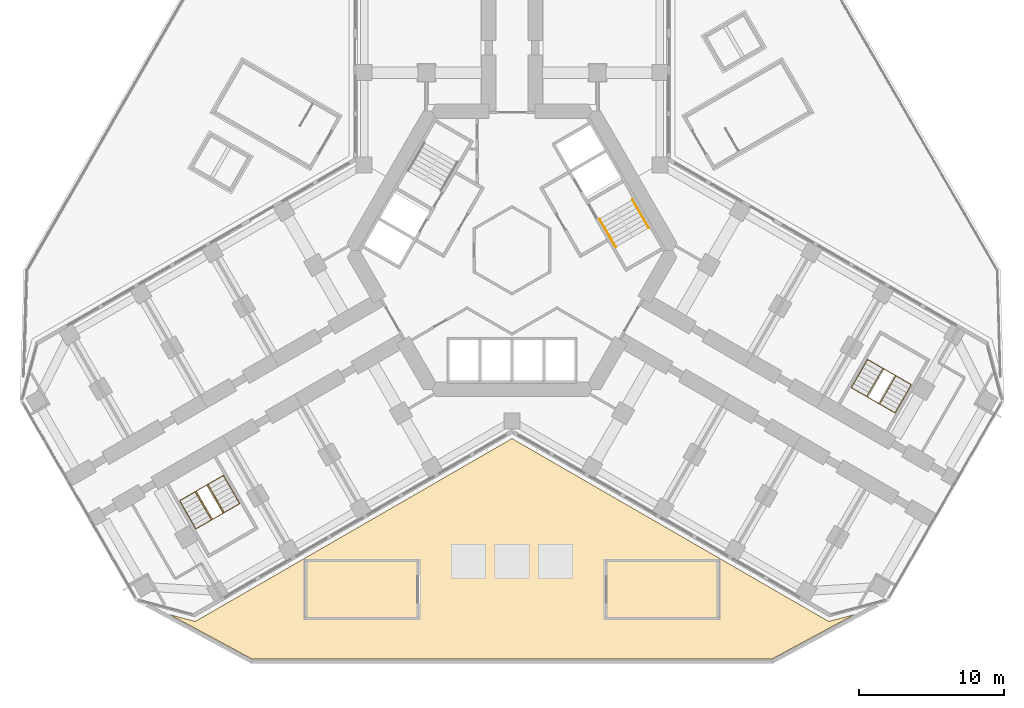
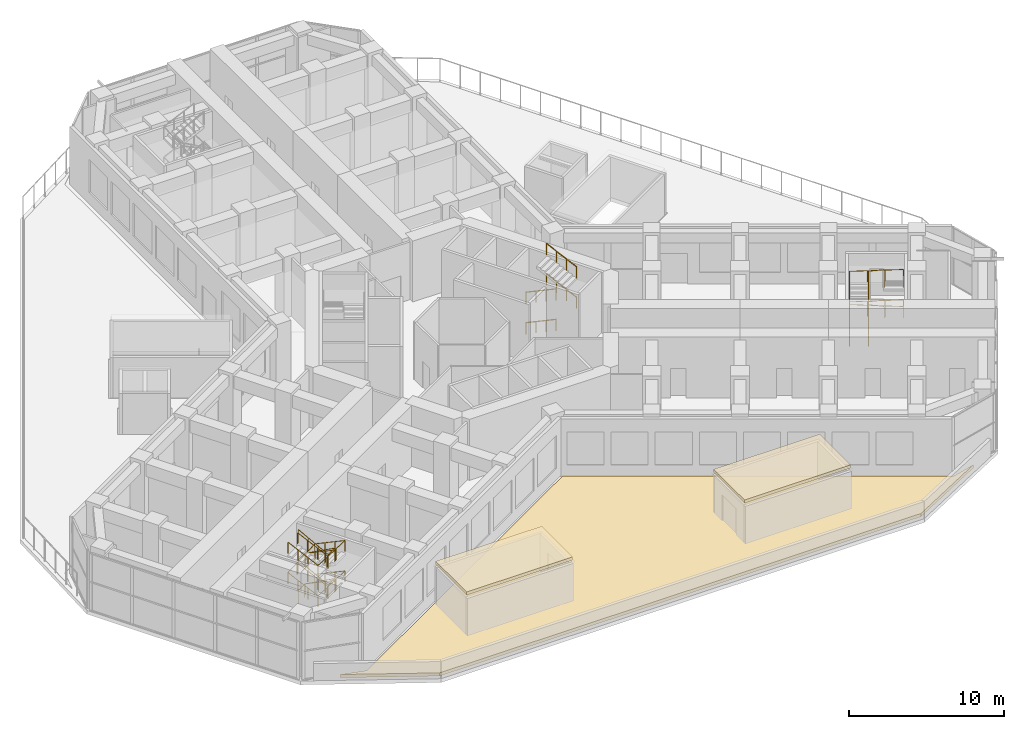
# One storey, part 16 of 18: 9 railings, 3 coverings.
"""IFC4 building model written with IfcOpenShell, lengths in metres."""

import ifcopenshell
import ifcopenshell.guid

model = None  # the IFC model being written
_history = None  # IfcOwnerHistory: only IFC2X3 demands one
_inside = {}  # id of a spatial element -> (the spatial element, [elements in it])
_under = {}  # id of a project, library or spatial element -> (it, [spatial elements below it])
_declared = {}  # id of a project -> (the project, [libraries it declares])
_typed = {}  # id of a type object -> (the type object, [elements of that type])
_made_of = {}  # id of a material, layer set ... -> (it, [elements and type objects made of it])


def new_model(schema):
    """Start an empty IFC model of exactly this schema.

    Asked for "IFC4X3", IfcOpenShell would pick the latest addendum, in which some entities
    have other attributes; the version numbers below select the first issue.
    IFC2X3 requires an IfcOwnerHistory on every rooted entity: one is made here for all.
    """
    global model, _history
    if schema == "IFC4X3":
        model = ifcopenshell.file(schema_version=(4, 3, 0, 0))
    else:
        model = ifcopenshell.file(schema=schema)
    _inside.clear()
    _under.clear()
    _declared.clear()
    _typed.clear()
    _made_of.clear()
    _history = None
    if model.schema == "IFC2X3":
        org = make("IfcOrganization", Name="unknown")
        user = make(
            "IfcPersonAndOrganization",
            ThePerson=make("IfcPerson", FamilyName="unknown"),
            TheOrganization=org,
        )
        app = make(
            "IfcApplication",
            ApplicationDeveloper=org,
            Version="unknown",
            ApplicationFullName="unknown",
            ApplicationIdentifier="unknown",
        )
        _history = make(
            "IfcOwnerHistory",
            OwningUser=user,
            OwningApplication=app,
            ChangeAction="ADDED",
            CreationDate=0,
        )
    return model


def make(cls, **values):
    """One entity of the class cls with the attributes given. An attribute that is None is left unset."""
    return model.create_entity(
        cls, **{name: value for name, value in values.items() if value is not None}
    )


def rooted(cls, **values):
    """An entity with a GlobalId (a new one), such as an element, a storey or a relation."""
    return make(cls, GlobalId=ifcopenshell.guid.new(), OwnerHistory=_history, **values)


def si_unit(unit_type, name, prefix=None):
    """IfcSIUnit, for example si_unit("LENGTHUNIT", "METRE", prefix="MILLI")."""
    return make("IfcSIUnit", UnitType=unit_type, Prefix=prefix, Name=name)


def assignment(units):
    """IfcUnitAssignment: the units of a project."""
    return None if units is None else make("IfcUnitAssignment", Units=units)


def point(xyz):
    """IfcCartesianPoint."""
    return None if xyz is None else make("IfcCartesianPoint", Coordinates=xyz)


def direction(xyz):
    """IfcDirection."""
    return None if xyz is None else make("IfcDirection", DirectionRatios=xyz)


def frame(location, z_axis=None, x_axis=None):
    """IfcAxis2Placement3D, a coordinate frame: its origin and axes. An axis left out is left unset."""
    return make(
        "IfcAxis2Placement3D",
        Location=point(location),
        Axis=direction(z_axis),
        RefDirection=direction(x_axis),
    )


def frame_2d(location, x_axis=None):
    """IfcAxis2Placement2D, a coordinate frame in the plane: its origin and x axis."""
    return make(
        "IfcAxis2Placement2D", Location=point(location), RefDirection=direction(x_axis)
    )


def origin():
    """The frame at (0, 0, 0) with its axes left unset."""
    return frame((0.0, 0.0, 0.0))


def origin_2d():
    """The frame at (0, 0) in the plane with its x axis left unset."""
    return frame_2d((0.0, 0.0))


def place(relative_to, where):
    """IfcLocalPlacement: puts the frame where relative to a parent placement (None: the world)."""
    return make(
        "IfcLocalPlacement", PlacementRelTo=relative_to, RelativePlacement=where
    )


def context(
    kind, dimensions, precision=None, world=None, true_north=None, identifier=None
):
    """IfcGeometricRepresentationContext, for example the 3D "Model" context."""
    return make(
        "IfcGeometricRepresentationContext",
        ContextIdentifier=identifier,
        ContextType=kind,
        CoordinateSpaceDimension=dimensions,
        Precision=precision,
        WorldCoordinateSystem=world,
        TrueNorth=true_north,
    )


def subcontext(parent, identifier, kind, view, scale=None):
    """IfcGeometricRepresentationSubContext, for example "Body" below "Model"."""
    return make(
        "IfcGeometricRepresentationSubContext",
        ContextIdentifier=identifier,
        ContextType=kind,
        ParentContext=parent,
        TargetScale=scale,
        TargetView=view,
    )


def project(units=None, contexts=None):
    """IfcProject with its units and contexts."""
    return rooted(
        "IfcProject",
        Name="project",
        RepresentationContexts=contexts,
        UnitsInContext=assignment(units),
    )


def spatial(cls, under=None, at=None, **own):
    """A site, building, storey or space (cls), placed at a placement, below another one or the project."""
    s = rooted(cls, ObjectPlacement=at, **own)
    if under is not None:
        _under.setdefault(under.id(), (under, []))[1].append(s)
    return s


def polyline(points):
    """IfcPolyline through the points."""
    return make("IfcPolyline", Points=[point(p) for p in points])


def profile(cls, at=None, kind="AREA", **sizes):
    """A parametric profile (cls). Its sizes go by their IFC names, for example OverallWidth=200.0."""
    return make(cls, ProfileType=kind, Position=at, **sizes)


def circle(**sizes):
    """IfcCircleProfileDef."""
    return profile("IfcCircleProfileDef", **sizes)


def outline(outer, holes=None, kind="AREA"):
    """IfcArbitraryClosedProfileDef: a profile drawn as a closed curve; with holes, ...WithVoids."""
    if holes is None:
        return make("IfcArbitraryClosedProfileDef", ProfileType=kind, OuterCurve=outer)
    return make(
        "IfcArbitraryProfileDefWithVoids",
        ProfileType=kind,
        OuterCurve=outer,
        InnerCurves=holes,
    )


def extrude(swept, where, along, depth):
    """IfcExtrudedAreaSolid: the profile swept, set in the frame where, extruded along a direction by depth."""
    return make(
        "IfcExtrudedAreaSolid",
        SweptArea=swept,
        Position=where,
        ExtrudedDirection=direction(along),
        Depth=depth,
    )


def shape(context_of_items, identifier, shape_type, items):
    """IfcShapeRepresentation: the items that make up one representation, for example the "Body"."""
    return make(
        "IfcShapeRepresentation",
        ContextOfItems=context_of_items,
        RepresentationIdentifier=identifier,
        RepresentationType=shape_type,
        Items=items,
    )


def material(Name=None, Category=None):
    """IfcMaterial."""
    return make("IfcMaterial", Name=Name, Category=Category)


def layer(
    of_material, thickness, ventilated=None, Name=None, Category=None, Priority=None
):
    """IfcMaterialLayer: one layer of a wall or slab, of a material (None: an air gap)."""
    return make(
        "IfcMaterialLayer",
        Material=of_material,
        LayerThickness=thickness,
        IsVentilated=ventilated,
        Name=Name,
        Category=Category,
        Priority=Priority,
    )


def layer_set(layers, Name=None):
    """IfcMaterialLayerSet."""
    return make("IfcMaterialLayerSet", MaterialLayers=layers, LayerSetName=Name)


def made_of(thing, what):
    """Note that an element or type object is made of a material, layer set ...; save() writes the relation."""
    if what is not None:
        _made_of.setdefault(what.id(), (what, []))[1].append(thing)
    return thing


def type_object(cls, material=None, **own):
    """A type object (cls), such as IfcWallType, which elements share."""
    return made_of(rooted(cls, **own), material)


def element(
    cls,
    number,
    at=None,
    inside=None,
    cuts=None,
    type_object=None,
    material=None,
    context=None,
    identifier="Body",
    shape_type=None,
    held_by="IfcProductDefinitionShape",
    body=None,
    shapes=None,
    **own,
):
    """One element of the class cls, such as IfcWall. Its Tag is "e" and its number.

    at: its placement. inside: the storey or other place that contains it. cuts: it is an
    opening in that element (IfcRelVoidsElement). A single representation is given by context,
    identifier, shape_type and body (its items); several are given by shapes. held_by: the class
    of the entity that holds the representations. save() writes the other relations.
    """
    e = rooted(cls, Tag="e%d" % number, ObjectPlacement=at, **own)
    if body is not None:
        shapes = [shape(context, identifier, shape_type, body)]
    if shapes is not None:
        e.Representation = make(held_by, Representations=shapes)
    if inside is not None:
        _inside.setdefault(inside.id(), (inside, []))[1].append(e)
    if cuts is not None:
        rooted(
            "IfcRelVoidsElement", RelatingBuildingElement=cuts, RelatedOpeningElement=e
        )
    if type_object is not None:
        _typed.setdefault(type_object.id(), (type_object, []))[1].append(e)
    return made_of(e, material)


def aggregate(whole, parts):
    """IfcRelAggregates: a whole, such as a stair, and the parts it consists of."""
    return rooted("IfcRelAggregates", RelatingObject=whole, RelatedObjects=parts)


def save(model, path):
    """Write the relations noted so far, then the file.

    IfcRelAggregates (storeys below a building ...), IfcRelContainedInSpatialStructure (elements
    in a storey), IfcRelDefinesByType, IfcRelAssociatesMaterial and IfcRelDeclares: one each for
    every whole, place, type object, material and project.
    """
    for whole, parts in _under.values():
        aggregate(whole, parts)
    for where, things in _inside.values():
        rooted(
            "IfcRelContainedInSpatialStructure",
            RelatedElements=things,
            RelatingStructure=where,
        )
    for kind, things in _typed.values():
        rooted("IfcRelDefinesByType", RelatedObjects=things, RelatingType=kind)
    for what, things in _made_of.values():
        rooted("IfcRelAssociatesMaterial", RelatedObjects=things, RelatingMaterial=what)
    for by, libraries in _declared.values():
        rooted("IfcRelDeclares", RelatingContext=by, RelatedDefinitions=libraries)
    model.write(path)


model = new_model("IFC4")

# Units and contexts
model_context = context("Model", 3, precision=1e-05, world=origin(), true_north=direction((0.0, 1.0)))
body_context = subcontext(model_context, "Body", "Model", "MODEL_VIEW")
ifc_project = project(units=[si_unit("LENGTHUNIT", "METRE"), si_unit("AREAUNIT", "SQUARE_METRE"), si_unit("VOLUMEUNIT", "CUBIC_METRE"), si_unit("PLANEANGLEUNIT", "RADIAN"), si_unit("MASSUNIT", "GRAM", prefix="KILO")], contexts=[model_context])

# Site, building, storey
site_placement = place(None, origin())
site = spatial("IfcSite", under=ifc_project, at=site_placement, CompositionType="ELEMENT")
building_placement = place(site_placement, origin())
building = spatial("IfcBuilding", under=site, at=building_placement, Name="Kosmar Iwan School Tower", CompositionType="ELEMENT")
storey_placement = place(building_placement, frame((0.0, 0.0, 20.39990234375)))
storey = spatial("IfcBuildingStorey", under=building, at=storey_placement, Name="L04", CompositionType="ELEMENT", Elevation=20.39990234375)

# Coverings
ifc_material_1 = material(Name="Insulated roofing membrane")
ifc_layer = layer(ifc_material_1, 0.25)
ifc_layer_set = layer_set([ifc_layer], Name="Roof membrane and insulation")
covering_type = type_object("IfcCoveringType", Name="Roof membrane and insulation", PredefinedType="ROOFING", material=ifc_layer_set)
covering_1_placement = place(storey_placement, origin())
element("IfcCovering", 1, at=covering_1_placement, inside=storey, type_object=covering_type, Name="Atrium roof covering", PredefinedType="ROOFING", context=body_context, shape_type="SweptSolid", body=[
    extrude(outline(polyline([(-17.924072265625, -28.199951171875), (17.924072265625, -28.199951171875), (23.595458984375, -25.136962890625), (21.84912109375, -25.60498046875), (0.0, -12.990478515625), (-21.84912109375, -25.60498046875), (-23.595458984375, -25.136962890625), (-17.924072265625, -28.199951171875)])), origin(), (0.0, 0.0, 1.0), 0.25),
])
covering_2_placement = place(storey_placement, frame((0.0, 0.0, 3.400146484375)))
element("IfcCovering", 2, at=covering_2_placement, inside=storey, type_object=covering_type, Name="School stair SS1 roof covering", PredefinedType="ROOFING", context=body_context, shape_type="SweptSolid", body=[
    extrude(outline(polyline([(-14.300048828125, -21.39990234375), (-14.300048828125, -25.39990234375), (-6.39990234375, -25.39990234375), (-6.39990234375, -21.39990234375), (-14.300048828125, -21.39990234375)])), origin(), (0.0, 0.0, 1.0), 0.25),
])
covering_3_placement = place(storey_placement, frame((0.0, 0.0, 3.400146484375)))
element("IfcCovering", 3, at=covering_3_placement, inside=storey, type_object=covering_type, Name="School stair SS2 roof covering", PredefinedType="ROOFING", context=body_context, shape_type="SweptSolid", body=[
    extrude(outline(polyline([(6.39990234375, -21.39990234375), (6.39990234375, -25.39990234375), (14.300048828125, -25.39990234375), (14.300048828125, -21.39990234375), (6.39990234375, -21.39990234375)])), origin(), (0.0, 0.0, 1.0), 0.25),
])

# Railings
ifc_material_2 = material(Name="Black steel", Category="steel")
railing_type_1 = type_object("IfcRailingType", Name="Stair handrail 900", PredefinedType="HANDRAIL", material=ifc_material_2)
railing_1_placement = place(storey_placement, frame((6.03466796875, 2.167724609375, 0.150146484375)))
element("IfcRailing", 4, at=railing_1_placement, inside=storey, type_object=railing_type_1, Name="Handrail ST1 flight 1", PredefinedType="HANDRAIL", context=body_context, shape_type="SweptSolid", body=[
    extrude(circle(Radius=0.02392578125, at=origin_2d()), frame((0.0, 0.0, 0.8759765625), z_axis=(0.45267848932, -0.784169015945, 0.424453931233), x_axis=(0.866054910533, 0.49994888933, 0.0)), (0.0, 0.0, 1.0), 2.473876953125),
    extrude(circle(Radius=0.02099609375, at=origin_2d()), origin(), (0.0, 0.0, 1.0), 0.851806640625),
    extrude(circle(Radius=0.02099609375, at=origin_2d()), frame((0.373291015625, -0.646728515625, 0.35009765625)), (0.0, 0.0, 1.0), 0.851806640625),
    extrude(circle(Radius=0.02099609375, at=origin_2d()), frame((0.74658203125, -1.293212890625, 0.699951171875)), (0.0, 0.0, 1.0), 0.851806640625),
    extrude(circle(Radius=0.02099609375, at=origin_2d()), frame((1.119873046875, -1.93994140625, 1.050048828125)), (0.0, 0.0, 1.0), 0.851806640625),
])
railing_2_placement = place(storey_placement, frame((9.432373046875, 1.542724609375, 1.35009765625)))
element("IfcRailing", 5, at=railing_2_placement, inside=storey, type_object=railing_type_1, Name="Handrail ST1 flight 2", PredefinedType="HANDRAIL", context=body_context, shape_type="SweptSolid", body=[
    extrude(circle(Radius=0.02392578125, at=origin_2d()), frame((0.0, 0.0, 0.8759765625), z_axis=(-0.452756948549, 0.784133982819, 0.424434968551), x_axis=(-0.866007717299, -0.500030632641, 0.0)), (0.0, 0.0, 1.0), 2.473876953125),
    extrude(circle(Radius=0.02099609375, at=origin_2d()), origin(), (0.0, 0.0, 1.0), 0.851806640625),
    extrude(circle(Radius=0.02099609375, at=origin_2d()), frame((-0.373291015625, 0.646728515625, 0.35009765625)), (0.0, 0.0, 1.0), 0.851806640625),
    extrude(circle(Radius=0.02099609375, at=origin_2d()), frame((-0.746826171875, 1.293212890625, 0.699951171875)), (0.0, 0.0, 1.0), 0.851806640625),
    extrude(circle(Radius=0.02099609375, at=origin_2d()), frame((-1.1201171875, 1.93994140625, 1.050048828125)), (0.0, 0.0, 1.0), 0.851806640625),
])
railing_3_placement = place(storey_placement, frame((6.03466796875, 2.167724609375, 2.550048828125)))
element("IfcRailing", 6, at=railing_3_placement, inside=storey, type_object=railing_type_1, Name="Handrail ST1 flight 3", PredefinedType="HANDRAIL", context=body_context, shape_type="SweptSolid", body=[
    extrude(circle(Radius=0.02392578125, at=origin_2d()), frame((0.0, 0.0, 0.8759765625), z_axis=(0.45267848932, -0.784169015945, 0.424453931233), x_axis=(0.866054910533, 0.49994888933, 0.0)), (0.0, 0.0, 1.0), 2.473876953125),
    extrude(circle(Radius=0.02099609375, at=origin_2d()), origin(), (0.0, 0.0, 1.0), 0.851806640625),
    extrude(circle(Radius=0.02099609375, at=origin_2d()), frame((0.373291015625, -0.646728515625, 0.35009765625)), (0.0, 0.0, 1.0), 0.851806640625),
    extrude(circle(Radius=0.02099609375, at=origin_2d()), frame((0.74658203125, -1.293212890625, 0.699951171875)), (0.0, 0.0, 1.0), 0.851806640625),
    extrude(circle(Radius=0.02099609375, at=origin_2d()), frame((1.119873046875, -1.93994140625, 1.050048828125)), (0.0, 0.0, 1.0), 0.851806640625),
])
railing_4_placement = place(storey_placement, frame((9.432373046875, 1.542724609375, 3.75)))
element("IfcRailing", 7, at=railing_4_placement, inside=storey, type_object=railing_type_1, Name="Handrail ST1 flight 4", PredefinedType="HANDRAIL", context=body_context, shape_type="SweptSolid", body=[
    extrude(circle(Radius=0.02392578125, at=origin_2d()), frame((0.0, 0.0, 0.8759765625), z_axis=(-0.452756948549, 0.784133982819, 0.424434968551), x_axis=(-0.866007717299, -0.500030632641, 0.0)), (0.0, 0.0, 1.0), 2.473876953125),
    extrude(circle(Radius=0.02099609375, at=origin_2d()), origin(), (0.0, 0.0, 1.0), 0.851806640625),
    extrude(circle(Radius=0.02099609375, at=origin_2d()), frame((-0.373291015625, 0.646728515625, 0.35009765625)), (0.0, 0.0, 1.0), 0.851806640625),
    extrude(circle(Radius=0.02099609375, at=origin_2d()), frame((-0.746826171875, 1.293212890625, 0.699951171875)), (0.0, 0.0, 1.0), 0.851806640625),
    extrude(circle(Radius=0.02099609375, at=origin_2d()), frame((-1.1201171875, 1.93994140625, 1.050048828125)), (0.0, 0.0, 1.0), 0.851806640625),
])
railing_5_placement = place(storey_placement, frame((-19.9091796875, -15.5361328125, 0.150146484375)))
element("IfcRailing", 8, at=railing_5_placement, inside=storey, type_object=railing_type_1, Name="Handrail stair WS2 L04 wall side", PredefinedType="HANDRAIL", context=body_context, shape_type="SweptSolid", body=[
    extrude(circle(Radius=0.02392578125, at=origin_2d()), frame((0.0, 0.0, 0.8759765625), z_axis=(0.45267848932, -0.784169015945, 0.424453931233), x_axis=(0.866054910533, 0.49994888933, 0.0)), (0.0, 0.0, 1.0), 2.473876953125),
    extrude(circle(Radius=0.02392578125, at=origin_2d()), frame((1.119873046875, -1.93994140625, 1.92578125), z_axis=(-0.865217314736, -0.499546646316, 0.043036570905), x_axis=(0.500009906705, -0.86601968407, 0.0)), (0.0, 0.0, 1.0), 3.483154296875),
    extrude(circle(Radius=0.02392578125, at=origin_2d()), frame((-1.893798828125, -3.679931640625, 2.07568359375), z_axis=(-0.452756948549, 0.784133982819, 0.424434968551), x_axis=(-0.866007717299, -0.500030632641, 0.0)), (0.0, 0.0, 1.0), 2.473876953125),
    extrude(circle(Radius=0.02392578125, at=origin_2d()), frame((-3.013916015625, -1.739990234375, 3.1259765625), z_axis=(0.865234934226, 0.499516352874, 0.043033961087), x_axis=(-0.499979528911, 0.866037222451, 0.0)), (0.0, 0.0, 1.0), 3.4833984375),
    extrude(circle(Radius=0.02392578125, at=origin_2d()), frame((0.0, 0.0, 3.27587890625), z_axis=(0.45267848932, -0.784169015945, 0.424453931233), x_axis=(0.866054910533, 0.49994888933, 0.0)), (0.0, 0.0, 1.0), 2.473876953125),
    extrude(circle(Radius=0.02392578125, at=origin_2d()), frame((1.119873046875, -1.93994140625, 4.32568359375), z_axis=(-0.865217314736, -0.499546646316, 0.043036570905), x_axis=(0.500009906705, -0.86601968407, 0.0)), (0.0, 0.0, 1.0), 3.483154296875),
    extrude(circle(Radius=0.02392578125, at=origin_2d()), frame((-1.893798828125, -3.679931640625, 4.4755859375), z_axis=(-0.452756948549, 0.784133982819, 0.424434968551), x_axis=(-0.866007717299, -0.500030632641, 0.0)), (0.0, 0.0, 1.0), 2.473876953125),
    extrude(circle(Radius=0.02099609375, at=origin_2d()), origin(), (0.0, 0.0, 1.0), 0.851806640625),
    extrude(circle(Radius=0.02099609375, at=origin_2d()), frame((0.373291015625, -0.646728515625, 0.35009765625)), (0.0, 0.0, 1.0), 0.851806640625),
    extrude(circle(Radius=0.02099609375, at=origin_2d()), frame((0.74658203125, -1.293212890625, 0.699951171875)), (0.0, 0.0, 1.0), 0.851806640625),
    extrude(circle(Radius=0.02099609375, at=origin_2d()), frame((1.119873046875, -1.93994140625, 1.050048828125)), (0.0, 0.0, 1.0), 0.851806640625),
    extrude(circle(Radius=0.02099609375, at=origin_2d()), frame((0.115234375, -2.52001953125, 1.10009765625)), (0.0, 0.0, 1.0), 0.851806640625),
    extrude(circle(Radius=0.02099609375, at=origin_2d()), frame((-0.88916015625, -3.099853515625, 1.14990234375)), (0.0, 0.0, 1.0), 0.851806640625),
    extrude(circle(Radius=0.02099609375, at=origin_2d()), frame((-1.893798828125, -3.679931640625, 1.199951171875)), (0.0, 0.0, 1.0), 0.851806640625),
    extrude(circle(Radius=0.02099609375, at=origin_2d()), frame((-2.26708984375, -3.033203125, 1.550048828125)), (0.0, 0.0, 1.0), 0.851806640625),
    extrude(circle(Radius=0.02099609375, at=origin_2d()), frame((-2.640625, -2.38671875, 1.89990234375)), (0.0, 0.0, 1.0), 0.851806640625),
    extrude(circle(Radius=0.02099609375, at=origin_2d()), frame((-3.013916015625, -1.739990234375, 2.25)), (0.0, 0.0, 1.0), 0.851806640625),
    extrude(circle(Radius=0.02099609375, at=origin_2d()), frame((-2.00927734375, -1.159912109375, 2.300048828125)), (0.0, 0.0, 1.0), 0.851806640625),
    extrude(circle(Radius=0.02099609375, at=origin_2d()), frame((-1.004638671875, -0.580078125, 2.349853515625)), (0.0, 0.0, 1.0), 0.851806640625),
    extrude(circle(Radius=0.02099609375, at=origin_2d()), frame((0.0, 0.0, 2.39990234375)), (0.0, 0.0, 1.0), 0.851806640625),
    extrude(circle(Radius=0.02099609375, at=origin_2d()), frame((0.373291015625, -0.646728515625, 2.75)), (0.0, 0.0, 1.0), 0.851806640625),
    extrude(circle(Radius=0.02099609375, at=origin_2d()), frame((0.74658203125, -1.293212890625, 3.099853515625)), (0.0, 0.0, 1.0), 0.851806640625),
    extrude(circle(Radius=0.02099609375, at=origin_2d()), frame((1.119873046875, -1.93994140625, 3.449951171875)), (0.0, 0.0, 1.0), 0.851806640625),
    extrude(circle(Radius=0.02099609375, at=origin_2d()), frame((0.115234375, -2.52001953125, 3.5)), (0.0, 0.0, 1.0), 0.851806640625),
    extrude(circle(Radius=0.02099609375, at=origin_2d()), frame((-0.88916015625, -3.099853515625, 3.5498046875)), (0.0, 0.0, 1.0), 0.851806640625),
    extrude(circle(Radius=0.02099609375, at=origin_2d()), frame((-1.893798828125, -3.679931640625, 3.599853515625)), (0.0, 0.0, 1.0), 0.851806640625),
    extrude(circle(Radius=0.02099609375, at=origin_2d()), frame((-2.26708984375, -3.033203125, 3.949951171875)), (0.0, 0.0, 1.0), 0.851806640625),
    extrude(circle(Radius=0.02099609375, at=origin_2d()), frame((-2.640625, -2.38671875, 4.2998046875)), (0.0, 0.0, 1.0), 0.851806640625),
    extrude(circle(Radius=0.02099609375, at=origin_2d()), frame((-3.013916015625, -1.739990234375, 4.64990234375)), (0.0, 0.0, 1.0), 0.851806640625),
])
railing_6_placement = place(storey_placement, frame((-20.974609375, -16.151123046875, 0.150146484375)))
element("IfcRailing", 9, at=railing_6_placement, inside=storey, type_object=railing_type_1, Name="Handrail stair WS2 L04 well side", PredefinedType="HANDRAIL", context=body_context, shape_type="SweptSolid", body=[
    extrude(circle(Radius=0.02392578125, at=origin_2d()), frame((0.0, 0.0, 0.8759765625), z_axis=(0.452756948549, -0.784133982819, 0.424434968551), x_axis=(0.866007717299, 0.500030632641, 0.0)), (0.0, 0.0, 1.0), 2.473876953125),
    extrude(circle(Radius=0.02392578125, at=origin_2d()), frame((1.1201171875, -1.93994140625, 1.92578125), z_axis=(-0.856806295441, -0.494712092641, 0.145406043505), x_axis=(0.500026340207, -0.866010195725, 0.0)), (0.0, 0.0, 1.0), 1.031005859375),
    extrude(circle(Radius=0.02392578125, at=origin_2d()), frame((0.23681640625, -2.449951171875, 2.07568359375), z_axis=(-0.452756948549, 0.784133982819, 0.424434968551), x_axis=(-0.866007717299, -0.500030632641, 0.0)), (0.0, 0.0, 1.0), 2.473876953125),
    extrude(circle(Radius=0.02392578125, at=origin_2d()), frame((-0.88330078125, -0.510009765625, 3.1259765625), z_axis=(0.856806295441, 0.494712092641, 0.145406043505), x_axis=(-0.500026340207, 0.866010195725, 0.0)), (0.0, 0.0, 1.0), 1.031005859375),
    extrude(circle(Radius=0.02392578125, at=origin_2d()), frame((0.0, 0.0, 3.27587890625), z_axis=(0.452756948549, -0.784133982819, 0.424434968551), x_axis=(0.866007717299, 0.500030632641, 0.0)), (0.0, 0.0, 1.0), 2.473876953125),
    extrude(circle(Radius=0.02392578125, at=origin_2d()), frame((1.1201171875, -1.93994140625, 4.32568359375), z_axis=(-0.856806295441, -0.494712092641, 0.145406043505), x_axis=(0.500026340207, -0.866010195725, 0.0)), (0.0, 0.0, 1.0), 1.031005859375),
    extrude(circle(Radius=0.02392578125, at=origin_2d()), frame((0.23681640625, -2.449951171875, 4.4755859375), z_axis=(-0.452756948549, 0.784133982819, 0.424434968551), x_axis=(-0.866007717299, -0.500030632641, 0.0)), (0.0, 0.0, 1.0), 2.473876953125),
    extrude(circle(Radius=0.02099609375, at=origin_2d()), origin(), (0.0, 0.0, 1.0), 0.851806640625),
    extrude(circle(Radius=0.02099609375, at=origin_2d()), frame((0.373291015625, -0.646728515625, 0.35009765625)), (0.0, 0.0, 1.0), 0.851806640625),
    extrude(circle(Radius=0.02099609375, at=origin_2d()), frame((0.746826171875, -1.293212890625, 0.699951171875)), (0.0, 0.0, 1.0), 0.851806640625),
    extrude(circle(Radius=0.02099609375, at=origin_2d()), frame((1.1201171875, -1.93994140625, 1.050048828125)), (0.0, 0.0, 1.0), 0.851806640625),
    extrude(circle(Radius=0.02099609375, at=origin_2d()), frame((0.23681640625, -2.449951171875, 1.199951171875)), (0.0, 0.0, 1.0), 0.851806640625),
    extrude(circle(Radius=0.02099609375, at=origin_2d()), frame((-0.136474609375, -1.80322265625, 1.550048828125)), (0.0, 0.0, 1.0), 0.851806640625),
    extrude(circle(Radius=0.02099609375, at=origin_2d()), frame((-0.510009765625, -1.15673828125, 1.89990234375)), (0.0, 0.0, 1.0), 0.851806640625),
    extrude(circle(Radius=0.02099609375, at=origin_2d()), frame((-0.88330078125, -0.510009765625, 2.25)), (0.0, 0.0, 1.0), 0.851806640625),
    extrude(circle(Radius=0.02099609375, at=origin_2d()), frame((0.0, 0.0, 2.39990234375)), (0.0, 0.0, 1.0), 0.851806640625),
    extrude(circle(Radius=0.02099609375, at=origin_2d()), frame((0.373291015625, -0.646728515625, 2.75)), (0.0, 0.0, 1.0), 0.851806640625),
    extrude(circle(Radius=0.02099609375, at=origin_2d()), frame((0.746826171875, -1.293212890625, 3.099853515625)), (0.0, 0.0, 1.0), 0.851806640625),
    extrude(circle(Radius=0.02099609375, at=origin_2d()), frame((1.1201171875, -1.93994140625, 3.449951171875)), (0.0, 0.0, 1.0), 0.851806640625),
    extrude(circle(Radius=0.02099609375, at=origin_2d()), frame((0.23681640625, -2.449951171875, 3.599853515625)), (0.0, 0.0, 1.0), 0.851806640625),
    extrude(circle(Radius=0.02099609375, at=origin_2d()), frame((-0.136474609375, -1.80322265625, 3.949951171875)), (0.0, 0.0, 1.0), 0.851806640625),
    extrude(circle(Radius=0.02099609375, at=origin_2d()), frame((-0.510009765625, -1.15673828125, 4.2998046875)), (0.0, 0.0, 1.0), 0.851806640625),
    extrude(circle(Radius=0.02099609375, at=origin_2d()), frame((-0.88330078125, -0.510009765625, 4.64990234375)), (0.0, 0.0, 1.0), 0.851806640625),
])
railing_7_placement = place(storey_placement, frame((23.4091796875, -9.473876953125, 0.150146484375)))
element("IfcRailing", 10, at=railing_7_placement, inside=storey, type_object=railing_type_1, Name="Handrail stair WS3 L04 wall side", PredefinedType="HANDRAIL", context=body_context, shape_type="SweptSolid", body=[
    extrude(circle(Radius=0.02392578125, at=origin_2d()), frame((0.0, 0.0, 0.8759765625), z_axis=(0.452756948549, 0.784133982819, 0.424434968551), x_axis=(-0.866007717299, 0.500030632641, 0.0)), (0.0, 0.0, 1.0), 2.473876953125),
    extrude(circle(Radius=0.02392578125, at=origin_2d()), frame((1.1201171875, 1.93994140625, 1.92578125), z_axis=(0.865217314736, -0.499546646316, 0.043036570905), x_axis=(0.500009906705, 0.86601968407, 0.0)), (0.0, 0.0, 1.0), 3.483154296875),
    extrude(circle(Radius=0.02392578125, at=origin_2d()), frame((4.1337890625, 0.199951171875, 2.07568359375), z_axis=(-0.45267848932, -0.784169015945, 0.424453931233), x_axis=(0.866054910533, -0.49994888933, 0.0)), (0.0, 0.0, 1.0), 2.473876953125),
    extrude(circle(Radius=0.02392578125, at=origin_2d()), frame((3.013916015625, -1.739990234375, 3.1259765625), z_axis=(-0.865234934226, 0.499516352874, 0.043033961087), x_axis=(-0.499979528911, -0.866037222451, 0.0)), (0.0, 0.0, 1.0), 3.4833984375),
    extrude(circle(Radius=0.02392578125, at=origin_2d()), frame((0.0, 0.0, 3.27587890625), z_axis=(0.452756948549, 0.784133982819, 0.424434968551), x_axis=(-0.866007717299, 0.500030632641, 0.0)), (0.0, 0.0, 1.0), 2.473876953125),
    extrude(circle(Radius=0.02392578125, at=origin_2d()), frame((1.1201171875, 1.93994140625, 4.32568359375), z_axis=(0.865217314736, -0.499546646316, 0.043036570905), x_axis=(0.500009906705, 0.86601968407, 0.0)), (0.0, 0.0, 1.0), 3.483154296875),
    extrude(circle(Radius=0.02392578125, at=origin_2d()), frame((4.1337890625, 0.199951171875, 4.4755859375), z_axis=(-0.45267848932, -0.784169015945, 0.424453931233), x_axis=(0.866054910533, -0.49994888933, 0.0)), (0.0, 0.0, 1.0), 2.473876953125),
    extrude(circle(Radius=0.02099609375, at=origin_2d()), origin(), (0.0, 0.0, 1.0), 0.851806640625),
    extrude(circle(Radius=0.02099609375, at=origin_2d()), frame((0.373291015625, 0.646728515625, 0.35009765625)), (0.0, 0.0, 1.0), 0.851806640625),
    extrude(circle(Radius=0.02099609375, at=origin_2d()), frame((0.746826171875, 1.293212890625, 0.699951171875)), (0.0, 0.0, 1.0), 0.851806640625),
    extrude(circle(Radius=0.02099609375, at=origin_2d()), frame((1.1201171875, 1.93994140625, 1.050048828125)), (0.0, 0.0, 1.0), 0.851806640625),
    extrude(circle(Radius=0.02099609375, at=origin_2d()), frame((2.124755859375, 1.35986328125, 1.10009765625)), (0.0, 0.0, 1.0), 0.851806640625),
    extrude(circle(Radius=0.02099609375, at=origin_2d()), frame((3.129150390625, 0.780029296875, 1.14990234375)), (0.0, 0.0, 1.0), 0.851806640625),
    extrude(circle(Radius=0.02099609375, at=origin_2d()), frame((4.1337890625, 0.199951171875, 1.199951171875)), (0.0, 0.0, 1.0), 0.851806640625),
    extrude(circle(Radius=0.02099609375, at=origin_2d()), frame((3.760498046875, -0.44677734375, 1.550048828125)), (0.0, 0.0, 1.0), 0.851806640625),
    extrude(circle(Radius=0.02099609375, at=origin_2d()), frame((3.38720703125, -1.09326171875, 1.89990234375)), (0.0, 0.0, 1.0), 0.851806640625),
    extrude(circle(Radius=0.02099609375, at=origin_2d()), frame((3.013916015625, -1.739990234375, 2.25)), (0.0, 0.0, 1.0), 0.851806640625),
    extrude(circle(Radius=0.02099609375, at=origin_2d()), frame((2.00927734375, -1.159912109375, 2.300048828125)), (0.0, 0.0, 1.0), 0.851806640625),
    extrude(circle(Radius=0.02099609375, at=origin_2d()), frame((1.004638671875, -0.580078125, 2.349853515625)), (0.0, 0.0, 1.0), 0.851806640625),
    extrude(circle(Radius=0.02099609375, at=origin_2d()), frame((0.0, 0.0, 2.39990234375)), (0.0, 0.0, 1.0), 0.851806640625),
    extrude(circle(Radius=0.02099609375, at=origin_2d()), frame((0.373291015625, 0.646728515625, 2.75)), (0.0, 0.0, 1.0), 0.851806640625),
    extrude(circle(Radius=0.02099609375, at=origin_2d()), frame((0.746826171875, 1.293212890625, 3.099853515625)), (0.0, 0.0, 1.0), 0.851806640625),
    extrude(circle(Radius=0.02099609375, at=origin_2d()), frame((1.1201171875, 1.93994140625, 3.449951171875)), (0.0, 0.0, 1.0), 0.851806640625),
    extrude(circle(Radius=0.02099609375, at=origin_2d()), frame((2.124755859375, 1.35986328125, 3.5)), (0.0, 0.0, 1.0), 0.851806640625),
    extrude(circle(Radius=0.02099609375, at=origin_2d()), frame((3.129150390625, 0.780029296875, 3.5498046875)), (0.0, 0.0, 1.0), 0.851806640625),
    extrude(circle(Radius=0.02099609375, at=origin_2d()), frame((4.1337890625, 0.199951171875, 3.599853515625)), (0.0, 0.0, 1.0), 0.851806640625),
    extrude(circle(Radius=0.02099609375, at=origin_2d()), frame((3.760498046875, -0.44677734375, 3.949951171875)), (0.0, 0.0, 1.0), 0.851806640625),
    extrude(circle(Radius=0.02099609375, at=origin_2d()), frame((3.38720703125, -1.09326171875, 4.2998046875)), (0.0, 0.0, 1.0), 0.851806640625),
    extrude(circle(Radius=0.02099609375, at=origin_2d()), frame((3.013916015625, -1.739990234375, 4.64990234375)), (0.0, 0.0, 1.0), 0.851806640625),
])
railing_8_placement = place(storey_placement, frame((24.474609375, -10.0888671875, 0.150146484375)))
element("IfcRailing", 11, at=railing_8_placement, inside=storey, type_object=railing_type_1, Name="Handrail stair WS3 L04 well side", PredefinedType="HANDRAIL", context=body_context, shape_type="SweptSolid", body=[
    extrude(circle(Radius=0.02392578125, at=origin_2d()), frame((0.0, 0.0, 0.8759765625), z_axis=(0.45267848932, 0.784169015945, 0.424453931233), x_axis=(-0.866054910533, 0.49994888933, 0.0)), (0.0, 0.0, 1.0), 2.473876953125),
    extrude(circle(Radius=0.02392578125, at=origin_2d()), frame((1.119873046875, 1.93994140625, 1.92578125), z_axis=(0.856806295441, -0.494712092641, 0.145406043505), x_axis=(0.500026340207, 0.866010195725, 0.0)), (0.0, 0.0, 1.0), 1.031005859375),
    extrude(circle(Radius=0.02392578125, at=origin_2d()), frame((2.003173828125, 1.429931640625, 2.07568359375), z_axis=(-0.45267848932, -0.784169015945, 0.424453931233), x_axis=(0.866054910533, -0.49994888933, 0.0)), (0.0, 0.0, 1.0), 2.473876953125),
    extrude(circle(Radius=0.02392578125, at=origin_2d()), frame((0.88330078125, -0.510009765625, 3.1259765625), z_axis=(-0.856806295441, 0.494712092641, 0.145406043505), x_axis=(-0.500026340207, -0.866010195725, 0.0)), (0.0, 0.0, 1.0), 1.031005859375),
    extrude(circle(Radius=0.02392578125, at=origin_2d()), frame((0.0, 0.0, 3.27587890625), z_axis=(0.45267848932, 0.784169015945, 0.424453931233), x_axis=(-0.866054910533, 0.49994888933, 0.0)), (0.0, 0.0, 1.0), 2.473876953125),
    extrude(circle(Radius=0.02392578125, at=origin_2d()), frame((1.119873046875, 1.93994140625, 4.32568359375), z_axis=(0.856806295441, -0.494712092641, 0.145406043505), x_axis=(0.500026340207, 0.866010195725, 0.0)), (0.0, 0.0, 1.0), 1.031005859375),
    extrude(circle(Radius=0.02392578125, at=origin_2d()), frame((2.003173828125, 1.429931640625, 4.4755859375), z_axis=(-0.45267848932, -0.784169015945, 0.424453931233), x_axis=(0.866054910533, -0.49994888933, 0.0)), (0.0, 0.0, 1.0), 2.473876953125),
    extrude(circle(Radius=0.02099609375, at=origin_2d()), origin(), (0.0, 0.0, 1.0), 0.851806640625),
    extrude(circle(Radius=0.02099609375, at=origin_2d()), frame((0.373291015625, 0.646728515625, 0.35009765625)), (0.0, 0.0, 1.0), 0.851806640625),
    extrude(circle(Radius=0.02099609375, at=origin_2d()), frame((0.74658203125, 1.293212890625, 0.699951171875)), (0.0, 0.0, 1.0), 0.851806640625),
    extrude(circle(Radius=0.02099609375, at=origin_2d()), frame((1.119873046875, 1.93994140625, 1.050048828125)), (0.0, 0.0, 1.0), 0.851806640625),
    extrude(circle(Radius=0.02099609375, at=origin_2d()), frame((2.003173828125, 1.429931640625, 1.199951171875)), (0.0, 0.0, 1.0), 0.851806640625),
    extrude(circle(Radius=0.02099609375, at=origin_2d()), frame((1.6298828125, 0.783203125, 1.550048828125)), (0.0, 0.0, 1.0), 0.851806640625),
    extrude(circle(Radius=0.02099609375, at=origin_2d()), frame((1.256591796875, 0.13671875, 1.89990234375)), (0.0, 0.0, 1.0), 0.851806640625),
    extrude(circle(Radius=0.02099609375, at=origin_2d()), frame((0.88330078125, -0.510009765625, 2.25)), (0.0, 0.0, 1.0), 0.851806640625),
    extrude(circle(Radius=0.02099609375, at=origin_2d()), frame((0.0, 0.0, 2.39990234375)), (0.0, 0.0, 1.0), 0.851806640625),
    extrude(circle(Radius=0.02099609375, at=origin_2d()), frame((0.373291015625, 0.646728515625, 2.75)), (0.0, 0.0, 1.0), 0.851806640625),
    extrude(circle(Radius=0.02099609375, at=origin_2d()), frame((0.74658203125, 1.293212890625, 3.099853515625)), (0.0, 0.0, 1.0), 0.851806640625),
    extrude(circle(Radius=0.02099609375, at=origin_2d()), frame((1.119873046875, 1.93994140625, 3.449951171875)), (0.0, 0.0, 1.0), 0.851806640625),
    extrude(circle(Radius=0.02099609375, at=origin_2d()), frame((2.003173828125, 1.429931640625, 3.599853515625)), (0.0, 0.0, 1.0), 0.851806640625),
    extrude(circle(Radius=0.02099609375, at=origin_2d()), frame((1.6298828125, 0.783203125, 3.949951171875)), (0.0, 0.0, 1.0), 0.851806640625),
    extrude(circle(Radius=0.02099609375, at=origin_2d()), frame((1.256591796875, 0.13671875, 4.2998046875)), (0.0, 0.0, 1.0), 0.851806640625),
    extrude(circle(Radius=0.02099609375, at=origin_2d()), frame((0.88330078125, -0.510009765625, 4.64990234375)), (0.0, 0.0, 1.0), 0.851806640625),
])
ifc_material_3 = material(Name="Black steel", Category="steel")
railing_type_2 = type_object("IfcRailingType", Name="Stair well guard 1100", PredefinedType="GUARDRAIL", material=ifc_material_3)
railing_9_placement = place(storey_placement, frame((-21.780029296875, -16.6162109375, 0.0)))
element("IfcRailing", 12, at=railing_9_placement, inside=storey, type_object=railing_type_2, Name="Stair WS2 L04 well guard", PredefinedType="GUARDRAIL", context=body_context, shape_type="SweptSolid", body=[
    extrude(circle(Radius=0.02392578125, at=origin_2d()), frame((0.0, 0.0, 1.076171875), z_axis=(0.865962960534, 0.500108139288, 0.0), x_axis=(-0.500108139288, 0.865962960534, 0.0)), (0.0, 0.0, 1.0), 0.840087890625),
    extrude(circle(Radius=0.02392578125, at=origin_2d()), frame((0.7275390625, 0.420166015625, 1.076171875), z_axis=(0.440755252094, -0.763348132769, 0.472265217807), x_axis=(0.866007717299, 0.500030632641, 0.0)), (0.0, 0.0, 1.0), 2.541259765625),
    extrude(circle(Radius=0.02392578125, at=origin_2d()), frame((1.84765625, -1.519775390625, 2.2763671875), z_axis=(-0.866088799389, -0.499890179513, 0.0), x_axis=(0.499890179513, -0.866088799389, 0.0)), (0.0, 0.0, 1.0), 0.840087890625),
    extrude(circle(Radius=0.02392578125, at=origin_2d()), frame((1.1201171875, -1.939697265625, 2.2763671875), z_axis=(-0.440807575709, 0.763342674152, 0.472225203707), x_axis=(-0.865980463445, -0.500077830873, 0.0)), (0.0, 0.0, 1.0), 2.541015625),
    extrude(circle(Radius=0.02392578125, at=origin_2d()), frame((0.0, 0.0, 3.47607421875), z_axis=(0.865962960534, 0.500108139288, 0.0), x_axis=(-0.500108139288, 0.865962960534, 0.0)), (0.0, 0.0, 1.0), 0.840087890625),
    extrude(circle(Radius=0.02392578125, at=origin_2d()), frame((0.7275390625, 0.420166015625, 3.47607421875), z_axis=(0.440775248085, -0.763382764011, 0.472190572), x_axis=(0.866007717299, 0.500030632641, 0.0)), (0.0, 0.0, 1.0), 2.541259765625),
    extrude(circle(Radius=0.02392578125, at=origin_2d()), frame((1.84765625, -1.519775390625, 4.67626953125), z_axis=(-0.866088799389, -0.499890179513, 0.0), x_axis=(0.499890179513, -0.866088799389, 0.0)), (0.0, 0.0, 1.0), 0.840087890625),
    extrude(circle(Radius=0.02392578125, at=origin_2d()), frame((1.1201171875, -1.939697265625, 4.67626953125), z_axis=(-0.440807575709, 0.763342674152, 0.472225203707), x_axis=(-0.865980463445, -0.500077830873, 0.0)), (0.0, 0.0, 1.0), 2.541015625),
    extrude(circle(Radius=0.02099609375, at=origin_2d()), origin(), (0.0, 0.0, 1.0), 1.052001953125),
    extrude(circle(Radius=0.02099609375, at=origin_2d()), frame((0.7275390625, 0.420166015625, 0.0)), (0.0, 0.0, 1.0), 1.052001953125),
    extrude(circle(Radius=0.02099609375, at=origin_2d()), frame((1.100830078125, -0.2265625, 0.400146484375)), (0.0, 0.0, 1.0), 1.052001953125),
    extrude(circle(Radius=0.02099609375, at=origin_2d()), frame((1.474365234375, -0.873046875, 0.800048828125)), (0.0, 0.0, 1.0), 1.052001953125),
    extrude(circle(Radius=0.02099609375, at=origin_2d()), frame((1.84765625, -1.519775390625, 1.2001953125)), (0.0, 0.0, 1.0), 1.052001953125),
    extrude(circle(Radius=0.02099609375, at=origin_2d()), frame((1.1201171875, -1.939697265625, 1.2001953125)), (0.0, 0.0, 1.0), 1.052001953125),
    extrude(circle(Radius=0.02099609375, at=origin_2d()), frame((0.746826171875, -1.293212890625, 1.60009765625)), (0.0, 0.0, 1.0), 1.052001953125),
    extrude(circle(Radius=0.02099609375, at=origin_2d()), frame((0.373291015625, -0.646484375, 2.000244140625)), (0.0, 0.0, 1.0), 1.052001953125),
    extrude(circle(Radius=0.02099609375, at=origin_2d()), frame((0.0, 0.0, 2.400146484375)), (0.0, 0.0, 1.0), 1.052001953125),
    extrude(circle(Radius=0.02099609375, at=origin_2d()), frame((0.7275390625, 0.420166015625, 2.400146484375)), (0.0, 0.0, 1.0), 1.052001953125),
    extrude(circle(Radius=0.02099609375, at=origin_2d()), frame((1.100830078125, -0.2265625, 2.800048828125)), (0.0, 0.0, 1.0), 1.052001953125),
    extrude(circle(Radius=0.02099609375, at=origin_2d()), frame((1.474365234375, -0.873046875, 3.2001953125)), (0.0, 0.0, 1.0), 1.052001953125),
    extrude(circle(Radius=0.02099609375, at=origin_2d()), frame((1.84765625, -1.519775390625, 3.60009765625)), (0.0, 0.0, 1.0), 1.052001953125),
    extrude(circle(Radius=0.02099609375, at=origin_2d()), frame((1.1201171875, -1.939697265625, 3.60009765625)), (0.0, 0.0, 1.0), 1.052001953125),
    extrude(circle(Radius=0.02099609375, at=origin_2d()), frame((0.746826171875, -1.293212890625, 4.0)), (0.0, 0.0, 1.0), 1.052001953125),
    extrude(circle(Radius=0.02099609375, at=origin_2d()), frame((0.373291015625, -0.646484375, 4.400146484375)), (0.0, 0.0, 1.0), 1.052001953125),
    extrude(circle(Radius=0.02099609375, at=origin_2d()), frame((0.0, 0.0, 4.800048828125)), (0.0, 0.0, 1.0), 1.052001953125),
])

save(model, "model.ifc")
